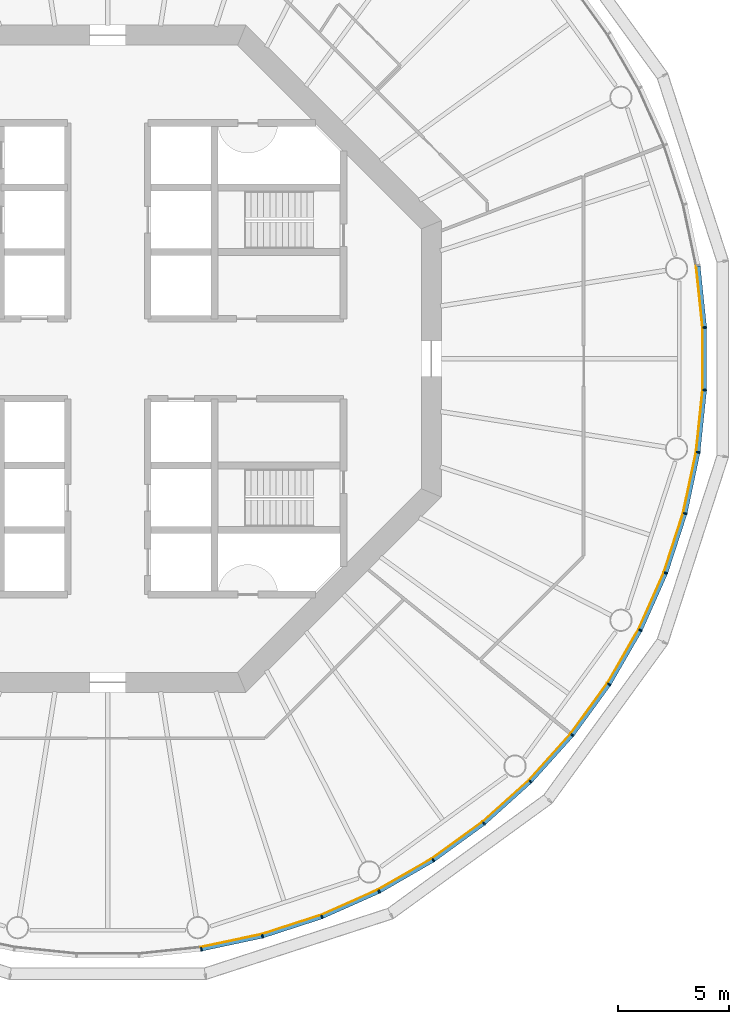
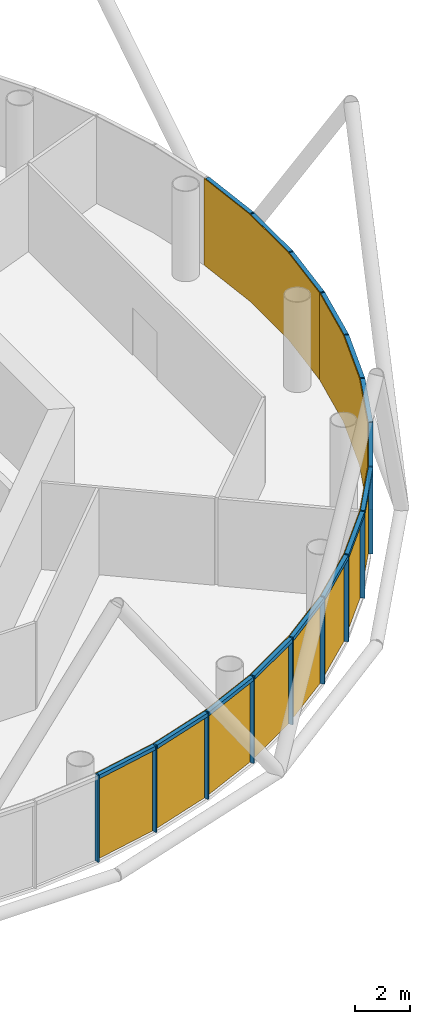
# One storey, part 8 of 12: 30 members, 5 curtain walls.
"""IFC4 building model written with IfcOpenShell, lengths in metres."""

from ifc_helpers import new_model, si_unit, direction, frame, origin, origin_2d, place, context, subcontext, project, spatial, polyline, rectangle, outline, extrude, material, layer, layer_set, material_profile, profile_set, type_object, element, aggregate, save


model = new_model("IFC4")

# Units and contexts
model_context = context("Model", 3, precision=1e-05, world=origin(), true_north=direction((0.0, 1.0)))
body_context = subcontext(model_context, "Body", "Model", "MODEL_VIEW")
ifc_project = project(units=[si_unit("LENGTHUNIT", "METRE"), si_unit("AREAUNIT", "SQUARE_METRE"), si_unit("VOLUMEUNIT", "CUBIC_METRE"), si_unit("PLANEANGLEUNIT", "RADIAN"), si_unit("MASSUNIT", "GRAM", prefix="KILO")], contexts=[model_context])

# Member
ifc_material_1 = material(Name="Anodised aluminium", Category="aluminium")
ifc_material_profile_1 = material_profile(ifc_material_1, rectangle(XDim=0.06005859375, YDim=0.169921875, at=origin_2d()), Name="Mullion 60 x 170 mm anodised aluminium")
ifc_profile_set_1 = profile_set([ifc_material_profile_1], Name="Anodised aluminium")
member_type_1 = type_object("IfcMemberType", Name="Mullion 60 x 170 mm anodised aluminium", PredefinedType="MULLION", material=ifc_profile_set_1)
site_placement = place(None, origin())
building_placement = place(site_placement, origin())
storey_placement = place(building_placement, frame((0.0, 0.0, 206.0)))
member_1_placement = place(storey_placement, frame((94.205810546875, 53.446044921875, 0.0), z_axis=(0.0, 0.0, 1.0), x_axis=(0.987688340595, 0.15643446504, 0.0)))
member_1 = element("IfcMember", 1, at=member_1_placement, type_object=member_type_1, Name="MULLION L47-45", PredefinedType="MULLION", context=body_context, shape_type="SweptSolid", body=[
    extrude(rectangle(XDim=0.06005859375, YDim=0.169921875, at=origin_2d()), origin(), (0.0, 0.0, 1.0), 3.85009765625),
])

member_2_placement = place(storey_placement, frame((96.958251953125, 54.031005859375, 0.0), z_axis=(0.0, 0.0, 1.0), x_axis=(0.965925826289, 0.258819045103, 0.0)))
member_2 = element("IfcMember", 2, at=member_2_placement, type_object=member_type_1, Name="MULLION L47-46", PredefinedType="MULLION", context=body_context, shape_type="SweptSolid", body=[
    extrude(rectangle(XDim=0.06005859375, YDim=0.169921875, at=origin_2d()), origin(), (0.0, 0.0, 1.0), 3.85009765625),
])

member_3_placement = place(storey_placement, frame((99.634765625, 54.900634765625, 0.0), z_axis=(0.0, 0.0, 1.0), x_axis=(0.933580426497, 0.358367949545, 0.0)))
member_3 = element("IfcMember", 3, at=member_3_placement, type_object=member_type_1, Name="MULLION L47-47", PredefinedType="MULLION", context=body_context, shape_type="SweptSolid", body=[
    extrude(rectangle(XDim=0.06005859375, YDim=0.169921875, at=origin_2d()), origin(), (0.0, 0.0, 1.0), 3.85009765625),
])

member_4_placement = place(storey_placement, frame((102.20556640625, 56.04541015625, 0.0), z_axis=(0.0, 0.0, 1.0), x_axis=(0.891006524188, 0.45399049974, 0.0)))
member_4 = element("IfcMember", 4, at=member_4_placement, type_object=member_type_1, Name="MULLION L47-48", PredefinedType="MULLION", context=body_context, shape_type="SweptSolid", body=[
    extrude(rectangle(XDim=0.06005859375, YDim=0.169921875, at=origin_2d()), origin(), (0.0, 0.0, 1.0), 3.85009765625),
])

member_5_placement = place(storey_placement, frame((104.642578125, 57.452392578125, 0.0), z_axis=(0.0, 0.0, 1.0), x_axis=(0.838670567945, 0.544639035015, 0.0)))
member_5 = element("IfcMember", 5, at=member_5_placement, type_object=member_type_1, Name="MULLION L47-49", PredefinedType="MULLION", context=body_context, shape_type="SweptSolid", body=[
    extrude(rectangle(XDim=0.06005859375, YDim=0.169921875, at=origin_2d()), origin(), (0.0, 0.0, 1.0), 3.85009765625),
])

member_6_placement = place(storey_placement, frame((106.919189453125, 59.1064453125, 0.0), z_axis=(0.0, 0.0, 1.0), x_axis=(0.777145961457, 0.62932039105, 0.0)))
member_6 = element("IfcMember", 6, at=member_6_placement, type_object=member_type_1, Name="MULLION L47-50", PredefinedType="MULLION", context=body_context, shape_type="SweptSolid", body=[
    extrude(rectangle(XDim=0.06005859375, YDim=0.169921875, at=origin_2d()), origin(), (0.0, 0.0, 1.0), 3.85009765625),
])

member_7_placement = place(storey_placement, frame((109.010498046875, 60.989501953125, 0.0), z_axis=(0.0, 0.0, 1.0), x_axis=(0.707106781187, 0.707106781187, 0.0)))
member_7 = element("IfcMember", 7, at=member_7_placement, type_object=member_type_1, Name="MULLION L47-51", PredefinedType="MULLION", context=body_context, shape_type="SweptSolid", body=[
    extrude(rectangle(XDim=0.06005859375, YDim=0.169921875, at=origin_2d()), origin(), (0.0, 0.0, 1.0), 3.85009765625),
])

member_8_placement = place(storey_placement, frame((110.8935546875, 63.080810546875, 0.0), z_axis=(0.0, 0.0, 1.0), x_axis=(0.62932039105, 0.777145961457, 0.0)))
member_8 = element("IfcMember", 8, at=member_8_placement, type_object=member_type_1, Name="MULLION L47-52", PredefinedType="MULLION", context=body_context, shape_type="SweptSolid", body=[
    extrude(rectangle(XDim=0.06005859375, YDim=0.169921875, at=origin_2d()), origin(), (0.0, 0.0, 1.0), 3.85009765625),
])

member_9_placement = place(storey_placement, frame((112.547607421875, 65.357421875, 0.0), z_axis=(0.0, 0.0, 1.0), x_axis=(0.544639035015, 0.838670567945, 0.0)))
member_9 = element("IfcMember", 9, at=member_9_placement, type_object=member_type_1, Name="MULLION L47-53", PredefinedType="MULLION", context=body_context, shape_type="SweptSolid", body=[
    extrude(rectangle(XDim=0.06005859375, YDim=0.169921875, at=origin_2d()), origin(), (0.0, 0.0, 1.0), 3.85009765625),
])

member_10_placement = place(storey_placement, frame((113.95458984375, 67.79443359375, 0.0), z_axis=(0.0, 0.0, 1.0), x_axis=(0.45399049974, 0.891006524188, 0.0)))
member_10 = element("IfcMember", 10, at=member_10_placement, type_object=member_type_1, Name="MULLION L47-54", PredefinedType="MULLION", context=body_context, shape_type="SweptSolid", body=[
    extrude(rectangle(XDim=0.06005859375, YDim=0.169921875, at=origin_2d()), origin(), (0.0, 0.0, 1.0), 3.85009765625),
])

member_11_placement = place(storey_placement, frame((115.099365234375, 70.365234375, 0.0), z_axis=(0.0, 0.0, 1.0), x_axis=(0.358367949545, 0.933580426497, 0.0)))
member_11 = element("IfcMember", 11, at=member_11_placement, type_object=member_type_1, Name="MULLION L47-55", PredefinedType="MULLION", context=body_context, shape_type="SweptSolid", body=[
    extrude(rectangle(XDim=0.06005859375, YDim=0.169921875, at=origin_2d()), origin(), (0.0, 0.0, 1.0), 3.85009765625),
])

member_12_placement = place(storey_placement, frame((115.968994140625, 73.041748046875, 0.0), z_axis=(0.0, 0.0, 1.0), x_axis=(0.258819045103, 0.965925826289, 0.0)))
member_12 = element("IfcMember", 12, at=member_12_placement, type_object=member_type_1, Name="MULLION L47-56", PredefinedType="MULLION", context=body_context, shape_type="SweptSolid", body=[
    extrude(rectangle(XDim=0.06005859375, YDim=0.169921875, at=origin_2d()), origin(), (0.0, 0.0, 1.0), 3.85009765625),
])

member_13_placement = place(storey_placement, frame((116.553955078125, 75.794189453125, 0.0), z_axis=(0.0, 0.0, 1.0), x_axis=(0.15643446504, 0.987688340595, 0.0)))
member_13 = element("IfcMember", 13, at=member_13_placement, type_object=member_type_1, Name="MULLION L47-57", PredefinedType="MULLION", context=body_context, shape_type="SweptSolid", body=[
    extrude(rectangle(XDim=0.06005859375, YDim=0.169921875, at=origin_2d()), origin(), (0.0, 0.0, 1.0), 3.85009765625),
])

member_14_placement = place(storey_placement, frame((116.84814453125, 78.593017578125, 0.0), z_axis=(0.0, 0.0, 1.0), x_axis=(0.052335956243, 0.998629534755, 0.0)))
member_14 = element("IfcMember", 14, at=member_14_placement, type_object=member_type_1, Name="MULLION L47-58", PredefinedType="MULLION", context=body_context, shape_type="SweptSolid", body=[
    extrude(rectangle(XDim=0.06005859375, YDim=0.169921875, at=origin_2d()), origin(), (0.0, 0.0, 1.0), 3.85009765625),
])

member_15_placement = place(storey_placement, frame((116.84814453125, 81.406982421875, 0.0), z_axis=(0.0, 0.0, 1.0), x_axis=(-0.052335956243, 0.998629534755, 0.0)))
member_15 = element("IfcMember", 15, at=member_15_placement, type_object=member_type_1, Name="MULLION L47-59", PredefinedType="MULLION", context=body_context, shape_type="SweptSolid", body=[
    extrude(rectangle(XDim=0.06005859375, YDim=0.169921875, at=origin_2d()), origin(), (0.0, 0.0, 1.0), 3.85009765625),
])

ifc_material_2 = material(Name="Anodised aluminium", Category="aluminium")
ifc_material_profile_2 = material_profile(ifc_material_2, rectangle(XDim=0.169921875, YDim=0.1650390625, at=origin_2d()), Name="Transom 165 x 170 mm anodised aluminium")
ifc_profile_set_2 = profile_set([ifc_material_profile_2], Name="Anodised aluminium")
member_type_2 = type_object("IfcMemberType", Name="Transom 165 x 170 mm anodised aluminium", PredefinedType="USERDEFINED", material=ifc_profile_set_2)
member_16_placement = place(storey_placement, frame((94.239501953125, 53.453125, 3.767578125), z_axis=(0.97814212115, 0.207937468562, 0.0), x_axis=(-0.207937468562, 0.97814212115, 0.0)))
member_16 = element("IfcMember", 16, at=member_16_placement, type_object=member_type_2, Name="TRANSOM L47-45", ObjectType="TRANSOM", PredefinedType="USERDEFINED", context=body_context, shape_type="SweptSolid", body=[
    extrude(rectangle(XDim=0.169921875, YDim=0.1650390625, at=origin_2d()), origin(), (0.0, 0.0, 1.0), 2.7451171875),
])

member_17_placement = place(storey_placement, frame((96.9912109375, 54.04150390625, 3.767578125), z_axis=(0.951048445774, 0.309041831781, 0.0), x_axis=(-0.309041831781, 0.951048445774, 0.0)))
member_17 = element("IfcMember", 17, at=member_17_placement, type_object=member_type_2, Name="TRANSOM L47-46", ObjectType="TRANSOM", PredefinedType="USERDEFINED", context=body_context, shape_type="SweptSolid", body=[
    extrude(rectangle(XDim=0.169921875, YDim=0.1650390625, at=origin_2d()), origin(), (0.0, 0.0, 1.0), 2.7451171875),
])

member_18_placement = place(storey_placement, frame((99.666259765625, 54.91455078125, 3.767578125), z_axis=(0.913525267704, 0.406781987391, 0.0), x_axis=(-0.406781987391, 0.913525267704, 0.0)))
member_18 = element("IfcMember", 18, at=member_18_placement, type_object=member_type_2, Name="TRANSOM L47-47", ObjectType="TRANSOM", PredefinedType="USERDEFINED", context=body_context, shape_type="SweptSolid", body=[
    extrude(rectangle(XDim=0.169921875, YDim=0.1650390625, at=origin_2d()), origin(), (0.0, 0.0, 1.0), 2.7451171875),
])

member_19_placement = place(storey_placement, frame((102.2353515625, 56.0625, 3.767578125), z_axis=(0.866034527326, 0.49998419723, 0.0), x_axis=(-0.49998419723, 0.866034527326, 0.0)))
member_19 = element("IfcMember", 19, at=member_19_placement, type_object=member_type_2, Name="TRANSOM L47-48", ObjectType="TRANSOM", PredefinedType="USERDEFINED", context=body_context, shape_type="SweptSolid", body=[
    extrude(rectangle(XDim=0.169921875, YDim=0.1650390625, at=origin_2d()), origin(), (0.0, 0.0, 1.0), 2.7451171875),
])

member_20_placement = place(storey_placement, frame((104.670654296875, 57.472412109375, 3.767578125), z_axis=(0.808959086484, 0.587864947412, 0.0), x_axis=(-0.587864947412, 0.808959086484, 0.0)))
member_20 = element("IfcMember", 20, at=member_20_placement, type_object=member_type_2, Name="TRANSOM L47-49", ObjectType="TRANSOM", PredefinedType="USERDEFINED", context=body_context, shape_type="SweptSolid", body=[
    extrude(rectangle(XDim=0.169921875, YDim=0.1650390625, at=origin_2d()), origin(), (0.0, 0.0, 1.0), 2.7451171875),
])

member_21_placement = place(storey_placement, frame((106.945068359375, 59.12939453125, 3.767578125), z_axis=(0.743134927907, 0.669141598561, 0.0), x_axis=(-0.669141598561, 0.743134927907, 0.0)))
member_21 = element("IfcMember", 21, at=member_21_placement, type_object=member_type_2, Name="TRANSOM L47-50", ObjectType="TRANSOM", PredefinedType="USERDEFINED", context=body_context, shape_type="SweptSolid", body=[
    extrude(rectangle(XDim=0.169921875, YDim=0.1650390625, at=origin_2d()), origin(), (0.0, 0.0, 1.0), 2.7451171875),
])

member_22_placement = place(storey_placement, frame((109.03369140625, 61.014892578125, 3.767578125), z_axis=(0.669141598561, 0.743134927907, 0.0), x_axis=(-0.743134927907, 0.669141598561, 0.0)))
member_22 = element("IfcMember", 22, at=member_22_placement, type_object=member_type_2, Name="TRANSOM L47-51", ObjectType="TRANSOM", PredefinedType="USERDEFINED", context=body_context, shape_type="SweptSolid", body=[
    extrude(rectangle(XDim=0.169921875, YDim=0.1650390625, at=origin_2d()), origin(), (0.0, 0.0, 1.0), 2.7451171875),
])

member_23_placement = place(storey_placement, frame((110.913818359375, 63.108642578125, 3.767578125), z_axis=(0.587864947412, 0.808959086484, 0.0), x_axis=(-0.808959086484, 0.587864947412, 0.0)))
member_23 = element("IfcMember", 23, at=member_23_placement, type_object=member_type_2, Name="TRANSOM L47-52", ObjectType="TRANSOM", PredefinedType="USERDEFINED", context=body_context, shape_type="SweptSolid", body=[
    extrude(rectangle(XDim=0.169921875, YDim=0.1650390625, at=origin_2d()), origin(), (0.0, 0.0, 1.0), 2.7451171875),
])

member_24_placement = place(storey_placement, frame((112.56494140625, 65.38720703125, 3.767578125), z_axis=(0.49998419723, 0.866034527326, 0.0), x_axis=(-0.866034527326, 0.49998419723, 0.0)))
member_24 = element("IfcMember", 24, at=member_24_placement, type_object=member_type_2, Name="TRANSOM L47-53", ObjectType="TRANSOM", PredefinedType="USERDEFINED", context=body_context, shape_type="SweptSolid", body=[
    extrude(rectangle(XDim=0.169921875, YDim=0.1650390625, at=origin_2d()), origin(), (0.0, 0.0, 1.0), 2.7451171875),
])

member_25_placement = place(storey_placement, frame((113.96875, 67.825927734375, 3.767578125), z_axis=(0.406781987391, 0.913525267704, 0.0), x_axis=(-0.913525267704, 0.406781987391, 0.0)))
member_25 = element("IfcMember", 25, at=member_25_placement, type_object=member_type_2, Name="TRANSOM L47-54", ObjectType="TRANSOM", PredefinedType="USERDEFINED", context=body_context, shape_type="SweptSolid", body=[
    extrude(rectangle(XDim=0.169921875, YDim=0.1650390625, at=origin_2d()), origin(), (0.0, 0.0, 1.0), 2.7451171875),
])

member_26_placement = place(storey_placement, frame((115.110107421875, 70.39794921875, 3.767578125), z_axis=(0.309041831781, 0.951048445774, 0.0), x_axis=(-0.951048445774, 0.309041831781, 0.0)))
member_26 = element("IfcMember", 26, at=member_26_placement, type_object=member_type_2, Name="TRANSOM L47-55", ObjectType="TRANSOM", PredefinedType="USERDEFINED", context=body_context, shape_type="SweptSolid", body=[
    extrude(rectangle(XDim=0.169921875, YDim=0.1650390625, at=origin_2d()), origin(), (0.0, 0.0, 1.0), 2.7451171875),
])

member_27_placement = place(storey_placement, frame((115.97607421875, 73.075439453125, 3.767578125), z_axis=(0.207937468562, 0.97814212115, 0.0), x_axis=(-0.97814212115, 0.207937468562, 0.0)))
member_27 = element("IfcMember", 27, at=member_27_placement, type_object=member_type_2, Name="TRANSOM L47-56", ObjectType="TRANSOM", PredefinedType="USERDEFINED", context=body_context, shape_type="SweptSolid", body=[
    extrude(rectangle(XDim=0.169921875, YDim=0.1650390625, at=origin_2d()), origin(), (0.0, 0.0, 1.0), 2.7451171875),
])

member_28_placement = place(storey_placement, frame((116.5576171875, 75.82861328125, 3.767578125), z_axis=(0.104592190102, 0.994515195344, 0.0), x_axis=(-0.994515195344, 0.104592190102, 0.0)))
member_28 = element("IfcMember", 28, at=member_28_placement, type_object=member_type_2, Name="TRANSOM L47-57", ObjectType="TRANSOM", PredefinedType="USERDEFINED", context=body_context, shape_type="SweptSolid", body=[
    extrude(rectangle(XDim=0.169921875, YDim=0.1650390625, at=origin_2d()), origin(), (0.0, 0.0, 1.0), 2.7451171875),
])

member_29_placement = place(storey_placement, frame((116.848388671875, 78.62744140625, 3.767578125), z_axis=(0.0, 1.0, 0.0), x_axis=(-1.0, 0.0, 0.0)))
member_29 = element("IfcMember", 29, at=member_29_placement, type_object=member_type_2, Name="TRANSOM L47-58", ObjectType="TRANSOM", PredefinedType="USERDEFINED", context=body_context, shape_type="SweptSolid", body=[
    extrude(rectangle(XDim=0.169921875, YDim=0.1650390625, at=origin_2d()), origin(), (0.0, 0.0, 1.0), 2.7451171875),
])

member_30_placement = place(storey_placement, frame((116.8447265625, 81.44140625, 3.767578125), z_axis=(-0.104592190102, 0.994515195344, 0.0), x_axis=(-0.994515195344, -0.104592190102, 0.0)))
member_30 = element("IfcMember", 30, at=member_30_placement, type_object=member_type_2, Name="TRANSOM L47-59", ObjectType="TRANSOM", PredefinedType="USERDEFINED", context=body_context, shape_type="SweptSolid", body=[
    extrude(rectangle(XDim=0.169921875, YDim=0.1650390625, at=origin_2d()), origin(), (0.0, 0.0, 1.0), 2.7451171875),
])

# Site, building, storey
site = spatial("IfcSite", under=ifc_project, at=site_placement, CompositionType="ELEMENT")
building = spatial("IfcBuilding", under=site, at=building_placement, Name="Entoto Ring Tower", CompositionType="ELEMENT")
storey = spatial("IfcBuildingStorey", under=building, at=storey_placement, Name="L47", CompositionType="ELEMENT", Elevation=206.0)

# Curtain wall
ifc_material_3 = material(Name="Clear low-iron glass", Category="glass")
ifc_layer = layer(ifc_material_3, 0.031982421875)
ifc_layer_set = layer_set([ifc_layer], Name="Clear low-iron glass")
curtain_wall_type = type_object("IfcCurtainWallType", Name="Curtain wall system CW4 glazing 32 mm", PredefinedType="NOTDEFINED", material=ifc_layer_set)
curtain_wall_1_placement = place(storey_placement, origin())
curtain_wall_1 = element("IfcCurtainWall", 31, at=curtain_wall_1_placement, inside=storey, type_object=curtain_wall_type, Name="CW4 L47-16", PredefinedType="NOTDEFINED", context=body_context, shape_type="SweptSolid", body=[
    extrude(outline(polyline([(94.1923828125, 53.530029296875), (96.936279296875, 54.11328125), (99.604248046875, 54.97998046875), (102.1669921875, 56.12109375), (102.15234375, 56.149658203125), (99.5927734375, 55.010009765625), (96.927978515625, 54.14404296875), (94.1875, 53.5615234375), (94.1923828125, 53.530029296875)])), origin(), (0.0, 0.0, 1.0), 3.85009765625),
])

aggregate(curtain_wall_1, [member_1, member_2, member_3, member_16, member_17, member_18])

curtain_wall_2_placement = place(storey_placement, origin())
curtain_wall_2 = element("IfcCurtainWall", 32, at=curtain_wall_2_placement, inside=storey, type_object=curtain_wall_type, Name="CW4 L47-17", PredefinedType="NOTDEFINED", context=body_context, shape_type="SweptSolid", body=[
    extrude(outline(polyline([(102.1669921875, 56.12109375), (104.596435546875, 57.523681640625), (106.86572265625, 59.172607421875), (108.950439453125, 61.049560546875), (108.927734375, 61.072265625), (106.845703125, 59.197509765625), (104.578857421875, 57.550537109375), (102.15234375, 56.149658203125), (102.1669921875, 56.12109375)])), origin(), (0.0, 0.0, 1.0), 3.85009765625),
])

aggregate(curtain_wall_2, [member_4, member_5, member_6, member_19, member_20, member_21])

curtain_wall_3_placement = place(storey_placement, origin())
curtain_wall_3 = element("IfcCurtainWall", 33, at=curtain_wall_3_placement, inside=storey, type_object=curtain_wall_type, Name="CW4 L47-18", PredefinedType="NOTDEFINED", context=body_context, shape_type="SweptSolid", body=[
    extrude(outline(polyline([(108.950439453125, 61.049560546875), (110.827392578125, 63.13427734375), (112.476318359375, 65.403564453125), (113.87890625, 67.8330078125), (113.850341796875, 67.84765625), (112.449462890625, 65.421142578125), (110.802490234375, 63.154296875), (108.927734375, 61.072265625), (108.950439453125, 61.049560546875)])), origin(), (0.0, 0.0, 1.0), 3.85009765625),
])

aggregate(curtain_wall_3, [member_7, member_8, member_9, member_22, member_23, member_24])

curtain_wall_4_placement = place(storey_placement, origin())
curtain_wall_4 = element("IfcCurtainWall", 34, at=curtain_wall_4_placement, inside=storey, type_object=curtain_wall_type, Name="CW4 L47-19", PredefinedType="NOTDEFINED", context=body_context, shape_type="SweptSolid", body=[
    extrude(outline(polyline([(113.87890625, 67.8330078125), (115.02001953125, 70.395751953125), (115.88671875, 73.063720703125), (116.469970703125, 75.8076171875), (116.4384765625, 75.8125), (115.85595703125, 73.072021484375), (114.989990234375, 70.4072265625), (113.850341796875, 67.84765625), (113.87890625, 67.8330078125)])), origin(), (0.0, 0.0, 1.0), 3.85009765625),
])

aggregate(curtain_wall_4, [member_10, member_11, member_12, member_25, member_26, member_27])

curtain_wall_5_placement = place(storey_placement, origin())
curtain_wall_5 = element("IfcCurtainWall", 35, at=curtain_wall_5_placement, inside=storey, type_object=curtain_wall_type, Name="CW4 L47-20", PredefinedType="NOTDEFINED", context=body_context, shape_type="SweptSolid", body=[
    extrude(outline(polyline([(116.469970703125, 75.8076171875), (116.76318359375, 78.597412109375), (116.76318359375, 81.402587890625), (116.469970703125, 84.1923828125), (116.4384765625, 84.1875), (116.731201171875, 81.40087890625), (116.731201171875, 78.59912109375), (116.4384765625, 75.8125), (116.469970703125, 75.8076171875)])), origin(), (0.0, 0.0, 1.0), 3.85009765625),
])

aggregate(curtain_wall_5, [member_13, member_14, member_15, member_28, member_29, member_30])

save(model, "model.ifc")
